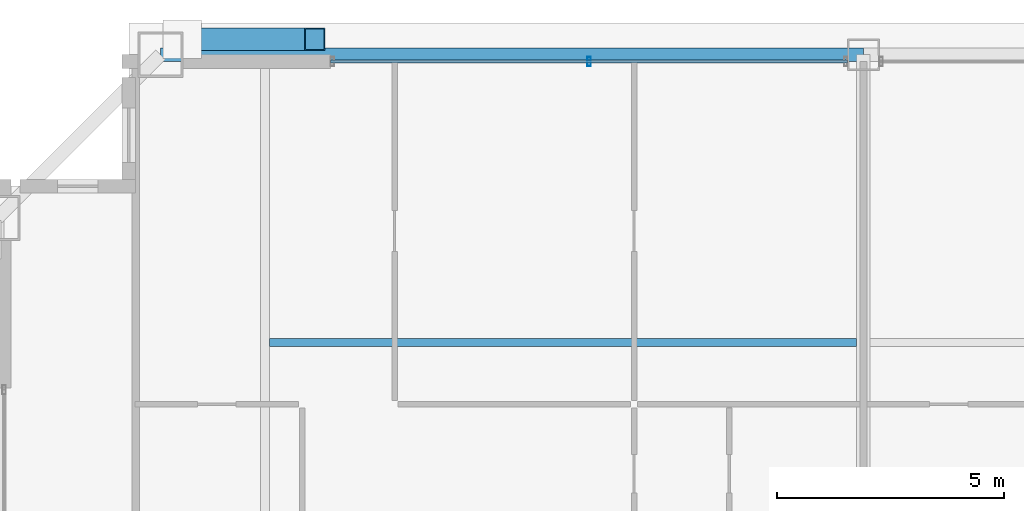
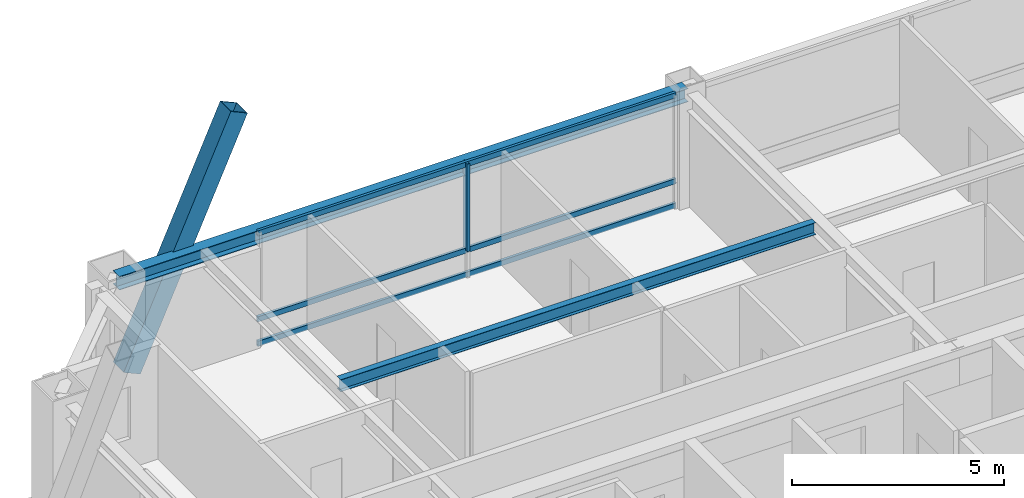
# One storey, part 16 of 35: 5 members, 2 beams, 1 element without a shape of its own.
"""IFC4 building model written with IfcOpenShell, lengths in metres."""

import ifcopenshell
import ifcopenshell.guid

model = None  # the IFC model being written
_history = None  # IfcOwnerHistory: only IFC2X3 demands one
_inside = {}  # id of a spatial element -> (the spatial element, [elements in it])
_under = {}  # id of a project, library or spatial element -> (it, [spatial elements below it])
_declared = {}  # id of a project -> (the project, [libraries it declares])
_typed = {}  # id of a type object -> (the type object, [elements of that type])
_made_of = {}  # id of a material, layer set ... -> (it, [elements and type objects made of it])


def new_model(schema):
    """Start an empty IFC model of exactly this schema.

    Asked for "IFC4X3", IfcOpenShell would pick the latest addendum, in which some entities
    have other attributes; the version numbers below select the first issue.
    IFC2X3 requires an IfcOwnerHistory on every rooted entity: one is made here for all.
    """
    global model, _history
    if schema == "IFC4X3":
        model = ifcopenshell.file(schema_version=(4, 3, 0, 0))
    else:
        model = ifcopenshell.file(schema=schema)
    _inside.clear()
    _under.clear()
    _declared.clear()
    _typed.clear()
    _made_of.clear()
    _history = None
    if model.schema == "IFC2X3":
        org = make("IfcOrganization", Name="unknown")
        user = make(
            "IfcPersonAndOrganization",
            ThePerson=make("IfcPerson", FamilyName="unknown"),
            TheOrganization=org,
        )
        app = make(
            "IfcApplication",
            ApplicationDeveloper=org,
            Version="unknown",
            ApplicationFullName="unknown",
            ApplicationIdentifier="unknown",
        )
        _history = make(
            "IfcOwnerHistory",
            OwningUser=user,
            OwningApplication=app,
            ChangeAction="ADDED",
            CreationDate=0,
        )
    return model


def make(cls, **values):
    """One entity of the class cls with the attributes given. An attribute that is None is left unset."""
    return model.create_entity(
        cls, **{name: value for name, value in values.items() if value is not None}
    )


def rooted(cls, **values):
    """An entity with a GlobalId (a new one), such as an element, a storey or a relation."""
    return make(cls, GlobalId=ifcopenshell.guid.new(), OwnerHistory=_history, **values)


def si_unit(unit_type, name, prefix=None):
    """IfcSIUnit, for example si_unit("LENGTHUNIT", "METRE", prefix="MILLI")."""
    return make("IfcSIUnit", UnitType=unit_type, Prefix=prefix, Name=name)


def assignment(units):
    """IfcUnitAssignment: the units of a project."""
    return None if units is None else make("IfcUnitAssignment", Units=units)


def point(xyz):
    """IfcCartesianPoint."""
    return None if xyz is None else make("IfcCartesianPoint", Coordinates=xyz)


def direction(xyz):
    """IfcDirection."""
    return None if xyz is None else make("IfcDirection", DirectionRatios=xyz)


def frame(location, z_axis=None, x_axis=None):
    """IfcAxis2Placement3D, a coordinate frame: its origin and axes. An axis left out is left unset."""
    return make(
        "IfcAxis2Placement3D",
        Location=point(location),
        Axis=direction(z_axis),
        RefDirection=direction(x_axis),
    )


def frame_2d(location, x_axis=None):
    """IfcAxis2Placement2D, a coordinate frame in the plane: its origin and x axis."""
    return make(
        "IfcAxis2Placement2D", Location=point(location), RefDirection=direction(x_axis)
    )


def origin():
    """The frame at (0, 0, 0) with its axes left unset."""
    return frame((0.0, 0.0, 0.0))


def origin_2d():
    """The frame at (0, 0) in the plane with its x axis left unset."""
    return frame_2d((0.0, 0.0))


def place(relative_to, where):
    """IfcLocalPlacement: puts the frame where relative to a parent placement (None: the world)."""
    return make(
        "IfcLocalPlacement", PlacementRelTo=relative_to, RelativePlacement=where
    )


def context(
    kind, dimensions, precision=None, world=None, true_north=None, identifier=None
):
    """IfcGeometricRepresentationContext, for example the 3D "Model" context."""
    return make(
        "IfcGeometricRepresentationContext",
        ContextIdentifier=identifier,
        ContextType=kind,
        CoordinateSpaceDimension=dimensions,
        Precision=precision,
        WorldCoordinateSystem=world,
        TrueNorth=true_north,
    )


def subcontext(parent, identifier, kind, view, scale=None):
    """IfcGeometricRepresentationSubContext, for example "Body" below "Model"."""
    return make(
        "IfcGeometricRepresentationSubContext",
        ContextIdentifier=identifier,
        ContextType=kind,
        ParentContext=parent,
        TargetScale=scale,
        TargetView=view,
    )


def project(units=None, contexts=None):
    """IfcProject with its units and contexts."""
    return rooted(
        "IfcProject",
        Name="project",
        RepresentationContexts=contexts,
        UnitsInContext=assignment(units),
    )


def spatial(cls, under=None, at=None, **own):
    """A site, building, storey or space (cls), placed at a placement, below another one or the project."""
    s = rooted(cls, ObjectPlacement=at, **own)
    if under is not None:
        _under.setdefault(under.id(), (under, []))[1].append(s)
    return s


def profile(cls, at=None, kind="AREA", **sizes):
    """A parametric profile (cls). Its sizes go by their IFC names, for example OverallWidth=200.0."""
    return make(cls, ProfileType=kind, Position=at, **sizes)


def hollow_rectangle(**sizes):
    """IfcRectangleHollowProfileDef."""
    return profile("IfcRectangleHollowProfileDef", **sizes)


def i_section(**sizes):
    """IfcIShapeProfileDef."""
    return profile("IfcIShapeProfileDef", **sizes)


def extrude(swept, where, along, depth):
    """IfcExtrudedAreaSolid: the profile swept, set in the frame where, extruded along a direction by depth."""
    return make(
        "IfcExtrudedAreaSolid",
        SweptArea=swept,
        Position=where,
        ExtrudedDirection=direction(along),
        Depth=depth,
    )


def shape(context_of_items, identifier, shape_type, items):
    """IfcShapeRepresentation: the items that make up one representation, for example the "Body"."""
    return make(
        "IfcShapeRepresentation",
        ContextOfItems=context_of_items,
        RepresentationIdentifier=identifier,
        RepresentationType=shape_type,
        Items=items,
    )


def source(mapping_origin, context_of_items, identifier, shape_type, items):
    """IfcRepresentationMap: a shape defined once, which mapped items show again and again."""
    return make(
        "IfcRepresentationMap",
        MappingOrigin=mapping_origin,
        MappedRepresentation=shape(context_of_items, identifier, shape_type, items),
    )


def transform(
    local_origin,
    x_axis=None,
    y_axis=None,
    z_axis=None,
    scale=None,
    scale2=None,
    scale3=None,
    uniform=True,
):
    """IfcCartesianTransformationOperator3D, or its non-uniform kind. x_axis, y_axis, z_axis: its Axis1, 2, 3."""
    if uniform:
        return make(
            "IfcCartesianTransformationOperator3D",
            Axis1=direction(x_axis),
            Axis2=direction(y_axis),
            LocalOrigin=point(local_origin),
            Scale=scale,
            Axis3=direction(z_axis),
        )
    return make(
        "IfcCartesianTransformationOperator3DnonUniform",
        Axis1=direction(x_axis),
        Axis2=direction(y_axis),
        LocalOrigin=point(local_origin),
        Scale=scale,
        Axis3=direction(z_axis),
        Scale2=scale2,
        Scale3=scale3,
    )


def mapped(mapping_source, mapping_target):
    """IfcMappedItem: shows the shape of a source again, moved by a transform."""
    return make(
        "IfcMappedItem", MappingSource=mapping_source, MappingTarget=mapping_target
    )


def material(Name=None, Category=None):
    """IfcMaterial."""
    return make("IfcMaterial", Name=Name, Category=Category)


def layer(
    of_material, thickness, ventilated=None, Name=None, Category=None, Priority=None
):
    """IfcMaterialLayer: one layer of a wall or slab, of a material (None: an air gap)."""
    return make(
        "IfcMaterialLayer",
        Material=of_material,
        LayerThickness=thickness,
        IsVentilated=ventilated,
        Name=Name,
        Category=Category,
        Priority=Priority,
    )


def layer_set(layers, Name=None):
    """IfcMaterialLayerSet."""
    return make("IfcMaterialLayerSet", MaterialLayers=layers, LayerSetName=Name)


def material_profile(
    of_material, cross_section, Name=None, Category=None, Priority=None
):
    """IfcMaterialProfile: a cross section and its material."""
    return make(
        "IfcMaterialProfile",
        Name=Name,
        Material=of_material,
        Profile=cross_section,
        Priority=Priority,
        Category=Category,
    )


def profile_set(profiles, Name=None, composite=None):
    """IfcMaterialProfileSet."""
    return make(
        "IfcMaterialProfileSet",
        Name=Name,
        MaterialProfiles=profiles,
        CompositeProfile=composite,
    )


def made_of(thing, what):
    """Note that an element or type object is made of a material, layer set ...; save() writes the relation."""
    if what is not None:
        _made_of.setdefault(what.id(), (what, []))[1].append(thing)
    return thing


def type_object(cls, material=None, **own):
    """A type object (cls), such as IfcWallType, which elements share."""
    return made_of(rooted(cls, **own), material)


def element(
    cls,
    number,
    at=None,
    inside=None,
    cuts=None,
    type_object=None,
    material=None,
    context=None,
    identifier="Body",
    shape_type=None,
    held_by="IfcProductDefinitionShape",
    body=None,
    shapes=None,
    **own,
):
    """One element of the class cls, such as IfcWall. Its Tag is "e" and its number.

    at: its placement. inside: the storey or other place that contains it. cuts: it is an
    opening in that element (IfcRelVoidsElement). A single representation is given by context,
    identifier, shape_type and body (its items); several are given by shapes. held_by: the class
    of the entity that holds the representations. save() writes the other relations.
    """
    e = rooted(cls, Tag="e%d" % number, ObjectPlacement=at, **own)
    if body is not None:
        shapes = [shape(context, identifier, shape_type, body)]
    if shapes is not None:
        e.Representation = make(held_by, Representations=shapes)
    if inside is not None:
        _inside.setdefault(inside.id(), (inside, []))[1].append(e)
    if cuts is not None:
        rooted(
            "IfcRelVoidsElement", RelatingBuildingElement=cuts, RelatedOpeningElement=e
        )
    if type_object is not None:
        _typed.setdefault(type_object.id(), (type_object, []))[1].append(e)
    return made_of(e, material)


def aggregate(whole, parts):
    """IfcRelAggregates: a whole, such as a stair, and the parts it consists of."""
    return rooted("IfcRelAggregates", RelatingObject=whole, RelatedObjects=parts)


def save(model, path):
    """Write the relations noted so far, then the file.

    IfcRelAggregates (storeys below a building ...), IfcRelContainedInSpatialStructure (elements
    in a storey), IfcRelDefinesByType, IfcRelAssociatesMaterial and IfcRelDeclares: one each for
    every whole, place, type object, material and project.
    """
    for whole, parts in _under.values():
        aggregate(whole, parts)
    for where, things in _inside.values():
        rooted(
            "IfcRelContainedInSpatialStructure",
            RelatedElements=things,
            RelatingStructure=where,
        )
    for kind, things in _typed.values():
        rooted("IfcRelDefinesByType", RelatedObjects=things, RelatingType=kind)
    for what, things in _made_of.values():
        rooted("IfcRelAssociatesMaterial", RelatedObjects=things, RelatingMaterial=what)
    for by, libraries in _declared.values():
        rooted("IfcRelDeclares", RelatingContext=by, RelatedDefinitions=libraries)
    model.write(path)


model = new_model("IFC4")

# Units and contexts
model_context = context("Model", 3, precision=1e-05, world=origin(), true_north=direction((0.0, 1.0)))
body_context = subcontext(model_context, "Body", "Model", "MODEL_VIEW")
ifc_project = project(units=[si_unit("LENGTHUNIT", "METRE"), si_unit("AREAUNIT", "SQUARE_METRE"), si_unit("VOLUMEUNIT", "CUBIC_METRE"), si_unit("PLANEANGLEUNIT", "RADIAN"), si_unit("MASSUNIT", "GRAM", prefix="KILO"), si_unit("THERMODYNAMICTEMPERATUREUNIT", "KELVIN"), si_unit("POWERUNIT", "WATT")], contexts=[model_context])

# Site, building, storey
site_placement = place(None, origin())
site = spatial("IfcSite", under=ifc_project, at=site_placement, CompositionType="ELEMENT")
building_placement = place(site_placement, origin())
building = spatial("IfcBuilding", under=site, at=building_placement, Name="Yuzanri Waterfront Tower", CompositionType="ELEMENT")
storey_placement = place(building_placement, frame((0.0, 0.0, 314.699951171875)))
storey = spatial("IfcBuildingStorey", under=building, at=storey_placement, Name="L84", CompositionType="ELEMENT", Elevation=314.699951171875)

# Beams
ifc_material_1 = material(Name="Steel Q355B", Category="steel")
ifc_material_profile_1 = material_profile(ifc_material_1, i_section(OverallWidth=0.175048828125, OverallDepth=0.35009765625, WebThickness=0.007080078125, FlangeThickness=0.010986328125, at=origin_2d()), Name="HN 350x175x7x11")
ifc_profile_set_1 = profile_set([ifc_material_profile_1], Name="Steel Q355B")
beam_type_1 = type_object("IfcBeamType", Name="Floor Joist Q355B HN 350x175", PredefinedType="JOIST", material=ifc_profile_set_1)
shared_shape_1 = source(origin(), body_context, "Body", "SweptSolid", [
    extrude(i_section(OverallWidth=0.175048828125, OverallDepth=0.35009765625, WebThickness=0.007080078125, FlangeThickness=0.010986328125, at=origin_2d()), origin(), (0.0, 0.0, 1.0), 12.9501953125),
])
beam_1_placement = place(storey_placement, frame((23.89990234375, 38.550048828125, 3.10498046875), z_axis=(1.0, 0.0, 0.0), x_axis=(0.0, 1.0, 0.0)))
element("IfcBeam", 1, at=beam_1_placement, inside=storey, type_object=beam_type_1, Name="L84 North Bay Joist W", PredefinedType="JOIST", context=body_context, shape_type="MappedRepresentation", body=[
    mapped(shared_shape_1, transform((0.0, 0.0, 0.0), scale=1.0)),
])
ifc_material_2 = material(Name="Steel Q355B", Category="steel")
ifc_material_profile_2 = material_profile(ifc_material_2, i_section(OverallWidth=0.300048828125, OverallDepth=0.389892578125, WebThickness=0.010009765625, FlangeThickness=0.01611328125, at=origin_2d()), Name="HM 390x300x10x16")
ifc_profile_set_2 = profile_set([ifc_material_profile_2], Name="Steel Q355B")
beam_type_2 = type_object("IfcBeamType", Name="Perimeter Spandrel Q355B HM 390x300", PredefinedType="SPANDREL", material=ifc_profile_set_2)
shared_shape_2 = source(origin(), body_context, "Body", "SweptSolid", [
    extrude(i_section(OverallWidth=0.300048828125, OverallDepth=0.389892578125, WebThickness=0.010009765625, FlangeThickness=0.01611328125, at=origin_2d()), origin(), (0.0, 0.0, 1.0), 15.5),
])
beam_2_placement = place(storey_placement, frame((37.0, 44.89990234375, 3.0849609375), z_axis=(-1.0, 0.0, 0.0), x_axis=(0.0, -1.0, 0.0)))
element("IfcBeam", 2, at=beam_2_placement, inside=storey, type_object=beam_type_2, Name="L84 Perimeter Spandrel N2-N1", PredefinedType="SPANDREL", context=body_context, shape_type="MappedRepresentation", body=[
    mapped(shared_shape_2, transform((0.0, 0.0, 0.0), scale=1.0)),
])

# Member
ifc_material_3 = material(Name="Steel Q390GJC", Category="steel")
ifc_material_profile_3 = material_profile(ifc_material_3, hollow_rectangle(XDim=0.5, YDim=0.5, WallThickness=0.02197265625, at=origin_2d()), Name="RHS 500x500x22")
ifc_profile_set_3 = profile_set([ifc_material_profile_3], Name="Steel Q390GJC")
member_type_1 = type_object("IfcMemberType", Name="Mega Brace Upper Q390GJC RHS 500x500x22", PredefinedType="BRACE", material=ifc_profile_set_3)
shared_shape_3 = source(origin(), body_context, "Body", "SweptSolid", [
    extrude(hollow_rectangle(XDim=0.5, YDim=0.5, WallThickness=0.02197265625, at=origin_2d()), origin(), (0.0, 0.0, 1.0), 7.125732421875),
])
member_1_placement = place(storey_placement, frame((21.97998046875, 45.239990234375, 0.179931640625), z_axis=(0.409771952938, 0.0, 0.912187999584), x_axis=(0.0, 1.0, 0.0)))
element("IfcMember", 3, at=member_1_placement, inside=storey, type_object=member_type_1, Name="L84-L85 Perimeter Mega-Brace N-L", PredefinedType="BRACE", context=body_context, shape_type="MappedRepresentation", body=[
    mapped(shared_shape_3, transform((0.0, 0.0, 0.0), scale=1.0)),
])

# Curtain wall, members
ifc_material_4 = material(Name="Anodized Architectural Bronze", Category="metal")
ifc_layer = layer(ifc_material_4, 0.159912109375)
ifc_layer_set = layer_set([ifc_layer], Name="Anodized Architectural Bronze")
curtain_wall_type = type_object("IfcCurtainWallType", Name="Anodized Bronze High-Rise Penthouse High-Wind Unitized Curtain Wall 6900", PredefinedType="NOTDEFINED", material=ifc_layer_set)
curtain_wall_placement = place(storey_placement, origin())
curtain_wall = element("IfcCurtainWall", 4, at=curtain_wall_placement, inside=storey, type_object=curtain_wall_type, Name="L84 Curtain Wall CW-L84-NL", PredefinedType="NOTDEFINED")
ifc_material_5 = material(Name="Anodized Architectural Bronze", Category="metal")
ifc_material_profile_4 = material_profile(ifc_material_5, hollow_rectangle(XDim=0.074951171875, YDim=0.199951171875, WallThickness=0.00390625, at=origin_2d()), Name="CWM 75x200")
ifc_profile_set_4 = profile_set([ifc_material_profile_4], Name="Anodized Architectural Bronze")
member_type_2 = type_object("IfcMemberType", Name="Anodized Bronze Primary Curtain-Wall Mullion 75x200", PredefinedType="MULLION", material=ifc_profile_set_4)
shared_shape_4 = source(origin(), body_context, "Body", "SweptSolid", [
    extrude(hollow_rectangle(XDim=0.074951171875, YDim=0.199951171875, WallThickness=0.00390625, at=origin_2d()), origin(), (0.0, 0.0, 1.0), 2.52392578125),
])
member_2_placement = place(storey_placement, frame((30.949951171875, 44.75, 0.756103515625), z_axis=(0.0, 0.0, 1.0), x_axis=(1.0, 0.0, 0.0)))
member_2 = element("IfcMember", 5, at=member_2_placement, type_object=member_type_2, Name="CW-L84-NL Upper Mullion 01", PredefinedType="MULLION", context=body_context, shape_type="MappedRepresentation", body=[
    mapped(shared_shape_4, transform((0.0, 0.0, 0.0), scale=1.0)),
])
ifc_material_6 = material(Name="Anodized Architectural Bronze", Category="metal")
ifc_material_profile_5 = material_profile(ifc_material_6, hollow_rectangle(XDim=0.074951171875, YDim=0.14990234375, WallThickness=0.00390625, at=origin_2d()), Name="CWT 75x150")
ifc_profile_set_5 = profile_set([ifc_material_profile_5], Name="Anodized Architectural Bronze")
member_type_3 = type_object("IfcMemberType", Name="Anodized Bronze Primary Curtain-Wall Transom 75x150", PredefinedType="USERDEFINED", material=ifc_profile_set_5)
shared_shape_5 = source(origin(), body_context, "Body", "SweptSolid", [
    extrude(hollow_rectangle(XDim=0.074951171875, YDim=0.14990234375, WallThickness=0.00390625, at=origin_2d()), origin(), (0.0, 0.0, 1.0), 11.39990234375),
])
member_3_placement = place(storey_placement, frame((25.25, 44.75, 0.050048828125), z_axis=(1.0, 0.0, 0.0), x_axis=(0.0, 1.0, 0.0)))
member_3 = element("IfcMember", 6, at=member_3_placement, type_object=member_type_3, Name="CW-L84-NL Transom 1", ObjectType="TRANSOM", PredefinedType="USERDEFINED", context=body_context, shape_type="MappedRepresentation", body=[
    mapped(shared_shape_5, transform((0.0, 0.0, 0.0), scale=1.0)),
])
member_4_placement = place(storey_placement, frame((25.25, 44.75, 0.754150390625), z_axis=(1.0, 0.0, 0.0), x_axis=(0.0, 1.0, 0.0)))
member_4 = element("IfcMember", 7, at=member_4_placement, type_object=member_type_3, Name="CW-L84-NL Transom 2", ObjectType="TRANSOM", PredefinedType="USERDEFINED", context=body_context, shape_type="MappedRepresentation", body=[
    mapped(shared_shape_5, transform((0.0, 0.0, 0.0), scale=1.0)),
])
member_5_placement = place(storey_placement, frame((25.25, 44.75, 3.22998046875), z_axis=(1.0, 0.0, 0.0), x_axis=(0.0, 1.0, 0.0)))
member_5 = element("IfcMember", 8, at=member_5_placement, type_object=member_type_3, Name="CW-L84-NL Transom 3", ObjectType="TRANSOM", PredefinedType="USERDEFINED", context=body_context, shape_type="MappedRepresentation", body=[
    mapped(shared_shape_5, transform((0.0, 0.0, 0.0), scale=1.0)),
])
aggregate(curtain_wall, [member_2, member_3, member_4, member_5])

save(model, "model.ifc")
